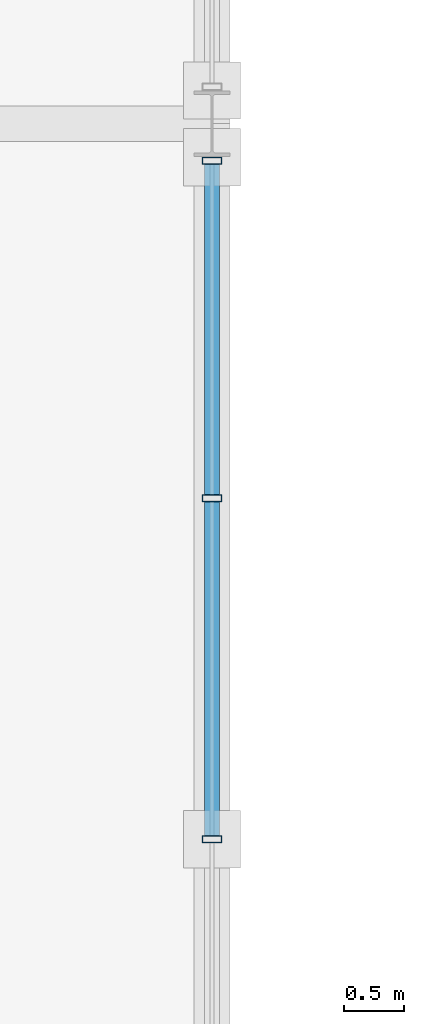
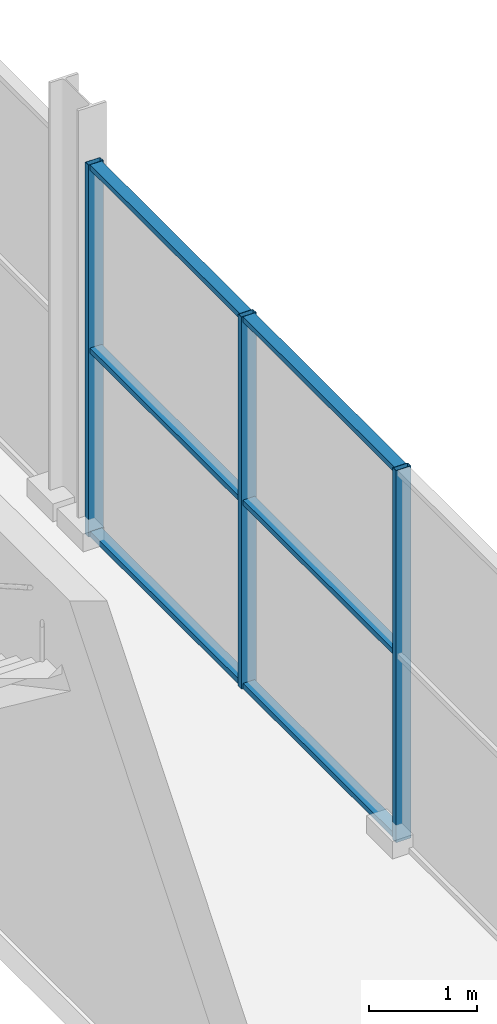
# One storey, part 42 of 159: 9 members, 1 element without a shape of its own.
"""IFC4 building model written with IfcOpenShell, lengths in metres."""

from ifc_helpers import new_model, si_unit, direction, frame, origin, origin_2d, place, context, subcontext, project, spatial, hollow_rectangle, extrude, material, material_profile, profile_set, type_object, element, aggregate, save


model = new_model("IFC4")

# Units and contexts
model_context = context("Model", 3, precision=1e-05, world=origin(), true_north=direction((0.0, 1.0)))
body_context = subcontext(model_context, "Body", "Model", "MODEL_VIEW")
ifc_project = project(units=[si_unit("LENGTHUNIT", "METRE"), si_unit("AREAUNIT", "SQUARE_METRE"), si_unit("VOLUMEUNIT", "CUBIC_METRE"), si_unit("PLANEANGLEUNIT", "RADIAN"), si_unit("MASSUNIT", "GRAM", prefix="KILO")], contexts=[model_context])

# Site, building, storey
site_placement = place(None, origin())
site = spatial("IfcSite", under=ifc_project, at=site_placement, CompositionType="ELEMENT")
building_placement = place(site_placement, origin())
building = spatial("IfcBuilding", under=site, at=building_placement, Name="Merenkruunu Market Hall", CompositionType="ELEMENT")
storey_placement = place(building_placement, frame((0.0, 0.0, 5.39990234375)))
storey = spatial("IfcBuildingStorey", under=building, at=storey_placement, Name="L01", CompositionType="ELEMENT", Elevation=5.39990234375)

# Curtain wall, members
ifc_material = material(Name="Powder-coated aluminium", Category="aluminium")
curtain_wall_type = type_object("IfcCurtainWallType", Name="Glazed Curtain Wall CW15", PredefinedType="USERDEFINED", material=ifc_material)
curtain_wall_placement = place(storey_placement, origin())
curtain_wall = element("IfcCurtainWall", 1, at=curtain_wall_placement, inside=storey, type_object=curtain_wall_type, Name="CW-L01-CWM01-128", ObjectType="GLAZED_FACADE", PredefinedType="USERDEFINED")
ifc_material_profile_1 = material_profile(ifc_material, hollow_rectangle(XDim=0.06005859375, YDim=0.159912109375, WallThickness=0.00390625, at=origin_2d()), Name="ALU 60x160x4")
ifc_profile_set_1 = profile_set([ifc_material_profile_1], Name="Powder-coated aluminium")
member_type_1 = type_object("IfcMemberType", Name="Curtain Wall Mullion CWM01", PredefinedType="MULLION", material=ifc_profile_set_1)
member_1_placement = place(storey_placement, frame((57.60009765625, 57.60009765625, 0.0), z_axis=(0.0, 0.0, 1.0), x_axis=(0.0, 1.0, 0.0)))
member_1 = element("IfcMember", 2, at=member_1_placement, type_object=member_type_1, Name="CW15 mullion 3", PredefinedType="MULLION", context=body_context, shape_type="SweptSolid", body=[
    extrude(hollow_rectangle(XDim=0.06005859375, YDim=0.159912109375, WallThickness=0.00390625, at=origin_2d()), origin(), (0.0, 0.0, 1.0), 4.2001953125),
])
member_2_placement = place(storey_placement, frame((57.60009765625, 60.4599609375, 0.0), z_axis=(0.0, 0.0, 1.0), x_axis=(0.0, 1.0, 0.0)))
member_2 = element("IfcMember", 3, at=member_2_placement, type_object=member_type_1, Name="CW15 mullion 4", PredefinedType="MULLION", context=body_context, shape_type="SweptSolid", body=[
    extrude(hollow_rectangle(XDim=0.06005859375, YDim=0.159912109375, WallThickness=0.00390625, at=origin_2d()), origin(), (0.0, 0.0, 1.0), 4.2001953125),
])
member_3_placement = place(storey_placement, frame((57.60009765625, 63.2900390625, 0.0), z_axis=(0.0, 0.0, 1.0), x_axis=(0.0, 1.0, 0.0)))
member_3 = element("IfcMember", 4, at=member_3_placement, type_object=member_type_1, Name="CW15 mullion 5", PredefinedType="MULLION", context=body_context, shape_type="SweptSolid", body=[
    extrude(hollow_rectangle(XDim=0.06005859375, YDim=0.159912109375, WallThickness=0.00390625, at=origin_2d()), origin(), (0.0, 0.0, 1.0), 4.2001953125),
])
ifc_material_profile_2 = material_profile(ifc_material, hollow_rectangle(XDim=0.06005859375, YDim=0.125, WallThickness=0.00390625, at=origin_2d()), Name="ALU 60x125x4")
ifc_profile_set_2 = profile_set([ifc_material_profile_2], Name="Powder-coated aluminium")
member_type_2 = type_object("IfcMemberType", Name="Curtain Wall Transom CWT01", PredefinedType="USERDEFINED", material=ifc_profile_set_2)
member_4_placement = place(storey_placement, frame((57.60009765625, 57.6298828125, 0.030029296875), z_axis=(0.0, 1.0, 0.0), x_axis=(0.0, 0.0, 1.0)))
member_4 = element("IfcMember", 5, at=member_4_placement, type_object=member_type_2, Name="CW15 transom 3.1", ObjectType="TRANSOM", PredefinedType="USERDEFINED", context=body_context, shape_type="SweptSolid", body=[
    extrude(hollow_rectangle(XDim=0.06005859375, YDim=0.125, WallThickness=0.00390625, at=origin_2d()), origin(), (0.0, 0.0, 1.0), 2.800048828125),
])
member_5_placement = place(storey_placement, frame((57.60009765625, 57.6298828125, 2.10009765625), z_axis=(0.0, 1.0, 0.0), x_axis=(0.0, 0.0, 1.0)))
member_5 = element("IfcMember", 6, at=member_5_placement, type_object=member_type_2, Name="CW15 transom 3.2", ObjectType="TRANSOM", PredefinedType="USERDEFINED", context=body_context, shape_type="SweptSolid", body=[
    extrude(hollow_rectangle(XDim=0.06005859375, YDim=0.125, WallThickness=0.00390625, at=origin_2d()), origin(), (0.0, 0.0, 1.0), 2.800048828125),
])
member_6_placement = place(storey_placement, frame((57.60009765625, 57.6298828125, 4.170166015625), z_axis=(0.0, 1.0, 0.0), x_axis=(0.0, 0.0, 1.0)))
member_6 = element("IfcMember", 7, at=member_6_placement, type_object=member_type_2, Name="CW15 transom 3.3", ObjectType="TRANSOM", PredefinedType="USERDEFINED", context=body_context, shape_type="SweptSolid", body=[
    extrude(hollow_rectangle(XDim=0.06005859375, YDim=0.125, WallThickness=0.00390625, at=origin_2d()), origin(), (0.0, 0.0, 1.0), 2.800048828125),
])
member_7_placement = place(storey_placement, frame((57.60009765625, 60.489990234375, 0.030029296875), z_axis=(0.0, 1.0, 0.0), x_axis=(0.0, 0.0, 1.0)))
member_7 = element("IfcMember", 8, at=member_7_placement, type_object=member_type_2, Name="CW15 transom 4.1", ObjectType="TRANSOM", PredefinedType="USERDEFINED", context=body_context, shape_type="SweptSolid", body=[
    extrude(hollow_rectangle(XDim=0.06005859375, YDim=0.125, WallThickness=0.00390625, at=origin_2d()), origin(), (0.0, 0.0, 1.0), 2.77001953125),
])
member_8_placement = place(storey_placement, frame((57.60009765625, 60.489990234375, 2.10009765625), z_axis=(0.0, 1.0, 0.0), x_axis=(0.0, 0.0, 1.0)))
member_8 = element("IfcMember", 9, at=member_8_placement, type_object=member_type_2, Name="CW15 transom 4.2", ObjectType="TRANSOM", PredefinedType="USERDEFINED", context=body_context, shape_type="SweptSolid", body=[
    extrude(hollow_rectangle(XDim=0.06005859375, YDim=0.125, WallThickness=0.00390625, at=origin_2d()), origin(), (0.0, 0.0, 1.0), 2.77001953125),
])
member_9_placement = place(storey_placement, frame((57.60009765625, 60.489990234375, 4.170166015625), z_axis=(0.0, 1.0, 0.0), x_axis=(0.0, 0.0, 1.0)))
member_9 = element("IfcMember", 10, at=member_9_placement, type_object=member_type_2, Name="CW15 transom 4.3", ObjectType="TRANSOM", PredefinedType="USERDEFINED", context=body_context, shape_type="SweptSolid", body=[
    extrude(hollow_rectangle(XDim=0.06005859375, YDim=0.125, WallThickness=0.00390625, at=origin_2d()), origin(), (0.0, 0.0, 1.0), 2.77001953125),
])
aggregate(curtain_wall, [member_1, member_2, member_3, member_4, member_5, member_6, member_7, member_8, member_9])

save(model, "model.ifc")
